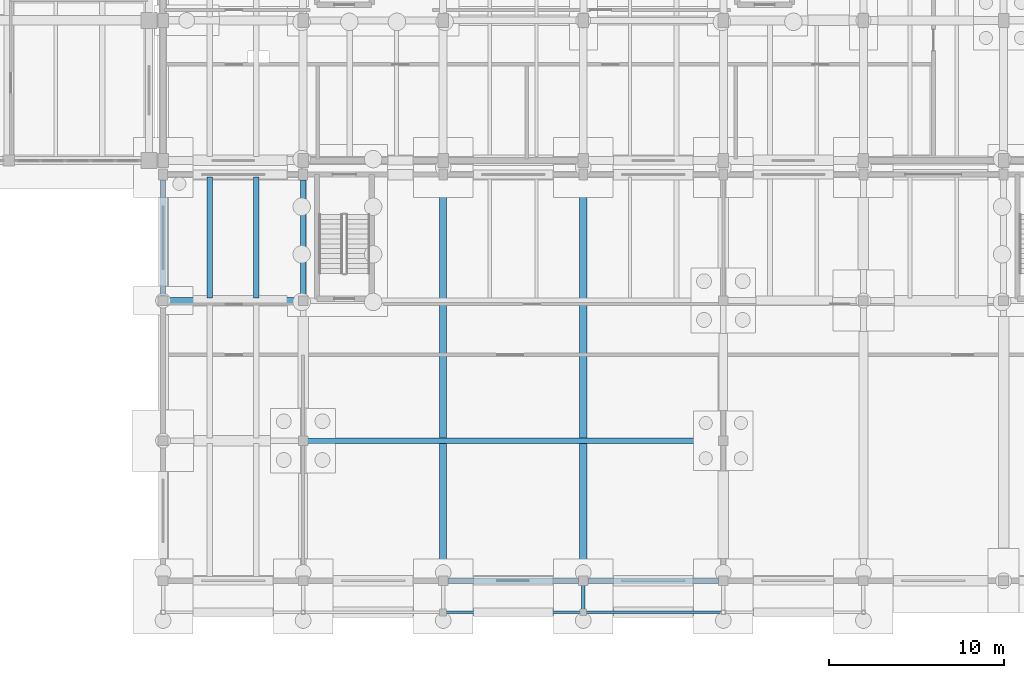
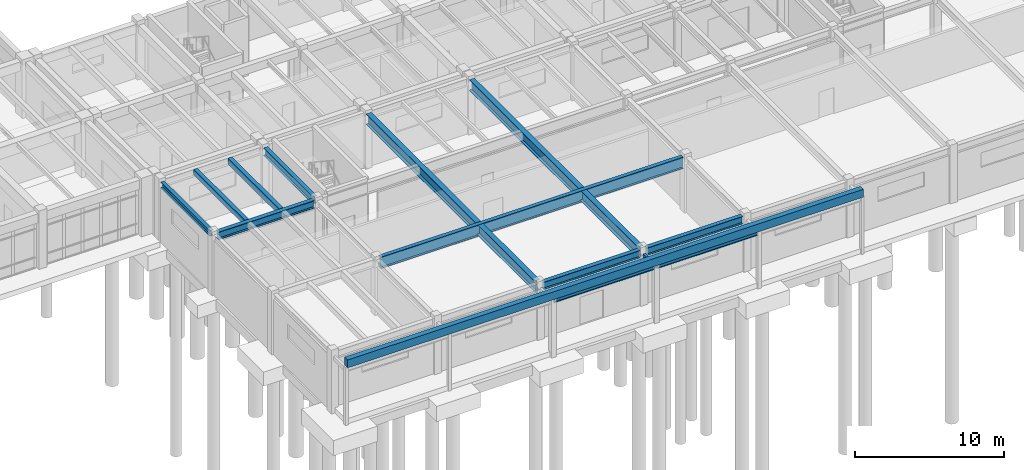
# One storey, part 21 of 64: 14 beams.
"""IFC4 building model written with IfcOpenShell, lengths in metres."""

from ifc_helpers import new_model, si_unit, direction, frame, origin, origin_2d, place, context, subcontext, project, spatial, rectangle, hollow_rectangle, i_section, extrude, material, material_profile, profile_set, type_object, element, save


model = new_model("IFC4")

# Units and contexts
model_context = context("Model", 3, precision=1e-05, world=origin(), true_north=direction((0.0, 1.0)))
body_context = subcontext(model_context, "Body", "Model", "MODEL_VIEW")
ifc_project = project(units=[si_unit("LENGTHUNIT", "METRE"), si_unit("AREAUNIT", "SQUARE_METRE"), si_unit("VOLUMEUNIT", "CUBIC_METRE"), si_unit("PLANEANGLEUNIT", "RADIAN"), si_unit("MASSUNIT", "GRAM", prefix="KILO")], contexts=[model_context])

# Site, building, storey
site_placement = place(None, origin())
site = spatial("IfcSite", under=ifc_project, at=site_placement, CompositionType="ELEMENT")
building_placement = place(site_placement, origin())
building = spatial("IfcBuilding", under=site, at=building_placement, Name="Tlaxcora Railside Police Headquarters", CompositionType="ELEMENT")
storey_placement = place(building_placement, origin())
storey = spatial("IfcBuildingStorey", under=building, at=storey_placement, Name="L00", CompositionType="ELEMENT", Elevation=0.0)

# Beams
ifc_material_1 = material(Name="Steel ASTM A992 Grade 50", Category="steel")
ifc_material_profile_1 = material_profile(ifc_material_1, hollow_rectangle(XDim=0.199951171875, YDim=0.300048828125, WallThickness=0.010009765625, at=origin_2d()), Name="HSS300X200X10")
ifc_profile_set_1 = profile_set([ifc_material_profile_1], Name="Steel ASTM A992 Grade 50")
beam_type_1 = type_object("IfcBeamType", Name="Opening Lintel Beam BM-74", PredefinedType="LINTEL", material=ifc_profile_set_1)
beam_1_placement = place(storey_placement, frame((126.800048828125, 10.199951171875, 4.10009765625), z_axis=(0.0, 1.0, 0.0), x_axis=(-1.0, 0.0, 0.0)))
element("IfcBeam", 1, at=beam_1_placement, inside=storey, type_object=beam_type_1, Name="Forecourt loggia tie beam X=126.8", PredefinedType="LINTEL", context=body_context, shape_type="SweptSolid", body=[
    extrude(hollow_rectangle(XDim=0.199951171875, YDim=0.300048828125, WallThickness=0.010009765625, at=origin_2d()), origin(), (0.0, 0.0, 1.0), 1.550048828125),
])
ifc_material_profile_2 = material_profile(ifc_material_1, i_section(OverallWidth=0.1650390625, OverallDepth=0.31005859375, WebThickness=0.005859375, FlangeThickness=0.009765625, at=origin_2d()), Name="W12X26")
ifc_profile_set_2 = profile_set([ifc_material_profile_2], Name="Steel ASTM A992 Grade 50")
beam_type_2 = type_object("IfcBeamType", Name="Opening Lintel Beam BM-87", PredefinedType="LINTEL", material=ifc_profile_set_2)
for number, where, z_axis, x_axis, name in (
    (2, (118.89990234375, 10.199951171875, 4.10009765625), (1.0, 0.0, 0.0), (0.0, 1.0, 0.0), "Forecourt loggia lintel X=118.8..126.8"),
    (3, (126.89990234375, 10.199951171875, 4.10009765625), (1.0, 0.0, 0.0), (0.0, 1.0, 0.0), "Forecourt loggia lintel X=126.8..134.8"),
):
    element("IfcBeam", number, at=place(storey_placement, frame(where, z_axis=z_axis, x_axis=x_axis)), inside=storey, type_object=beam_type_2, Name=name, PredefinedType="LINTEL", context=body_context, shape_type="SweptSolid", body=[
        extrude(i_section(OverallWidth=0.1650390625, OverallDepth=0.31005859375, WebThickness=0.005859375, FlangeThickness=0.009765625, at=origin_2d()), origin(), (0.0, 0.0, 1.0), 7.800048828125),
    ])
ifc_material_profile_3 = material_profile(ifc_material_1, i_section(OverallWidth=0.280029296875, OverallDepth=0.4619140625, WebThickness=0.0107421875, FlangeThickness=0.017333984375, at=origin_2d()), Name="W18X76")
ifc_profile_set_3 = profile_set([ifc_material_profile_3], Name="Steel ASTM A992 Grade 50")
beam_type_3 = type_object("IfcBeamType", Name="Perimeter Spandrel Beam BM-33", PredefinedType="SPANDREL", material=ifc_profile_set_3)
beam_2_placement = place(storey_placement, frame((102.800048828125, 28.264892578125, 4.299072265625), z_axis=(0.0, 1.0, 0.0), x_axis=(-1.0, 0.0, 0.0)))
element("IfcBeam", 4, at=beam_2_placement, inside=storey, type_object=beam_type_3, Name="V3 L00 Y-girder X=102.8", PredefinedType="SPANDREL", context=body_context, shape_type="SweptSolid", body=[
    extrude(i_section(OverallWidth=0.280029296875, OverallDepth=0.4619140625, WebThickness=0.0107421875, FlangeThickness=0.017333984375, at=origin_2d()), origin(), (0.0, 0.0, 1.0), 6.6201171875),
])
ifc_material_2 = material(Name="Concrete C40/50", Category="concrete")
ifc_material_profile_4 = material_profile(ifc_material_2, rectangle(XDim=0.39990234375, YDim=0.64990234375, at=origin_2d()), Name="RC400X650")
ifc_profile_set_4 = profile_set([ifc_material_profile_4], Name="Concrete C40/50")
beam_type_4 = type_object("IfcBeamType", Name="Perimeter Spandrel Beam BM-46", PredefinedType="SPANDREL", material=ifc_profile_set_4)
beam_3_placement = place(storey_placement, frame((102.800048828125, 10.199951171875, 4.64501953125), z_axis=(1.0, 0.0, 0.0), x_axis=(0.0, 1.0, 0.0)))
element("IfcBeam", 5, at=beam_3_placement, inside=storey, type_object=beam_type_4, Name="Forecourt colonnade brow beam 2", PredefinedType="SPANDREL", context=body_context, shape_type="SweptSolid", body=[
    extrude(rectangle(XDim=0.39990234375, YDim=0.64990234375, at=origin_2d()), origin(), (0.0, 0.0, 1.0), 40.0),
])
ifc_material_profile_5 = material_profile(ifc_material_1, i_section(OverallWidth=0.324951171875, OverallDepth=0.616943359375, WebThickness=0.013916015625, FlangeThickness=0.021484375, at=origin_2d()), Name="W24X117")
ifc_profile_set_5 = profile_set([ifc_material_profile_5], Name="Steel ASTM A992 Grade 50")
beam_type_5 = type_object("IfcBeamType", Name="Perimeter Spandrel Beam BM-60", PredefinedType="SPANDREL", material=ifc_profile_set_5)
for number, where, z_axis, x_axis, name in (
    (6, (119.06494140625, 12.0, 4.221435546875), (1.0, 0.0, 0.0), (0.0, 1.0, 0.0), "V3 L00 X-girder Y=12.0"),
    (7, (127.06494140625, 12.0, 4.221435546875), (1.0, 0.0, 0.0), (0.0, 1.0, 0.0), "V3 L00 X-girder Y=12.0"),
):
    element("IfcBeam", number, at=place(storey_placement, frame(where, z_axis=z_axis, x_axis=x_axis)), inside=storey, type_object=beam_type_5, Name=name, PredefinedType="SPANDREL", context=body_context, shape_type="SweptSolid", body=[
        extrude(i_section(OverallWidth=0.324951171875, OverallDepth=0.616943359375, WebThickness=0.013916015625, FlangeThickness=0.021484375, at=origin_2d()), origin(), (0.0, 0.0, 1.0), 7.469970703125),
    ])
ifc_material_profile_6 = material_profile(ifc_material_1, i_section(OverallWidth=0.403076171875, OverallDepth=0.868896484375, WebThickness=0.02099609375, FlangeThickness=0.03564453125, at=origin_2d()), Name="W33X241")
ifc_profile_set_6 = profile_set([ifc_material_profile_6], Name="Steel ASTM A992 Grade 50")
beam_type_6 = type_object("IfcBeamType", Name="Primary Frame Girder BM-45", PredefinedType="BEAM", material=ifc_profile_set_6)
for number, where, z_axis, x_axis, name in (
    (8, (118.800048828125, 12.264892578125, 4.095458984375), (0.0, 1.0, 0.0), (-1.0, 0.0, 0.0), "V3 L00 Y-girder X=118.8"),
    (9, (126.800048828125, 12.264892578125, 4.095458984375), (0.0, 1.0, 0.0), (-1.0, 0.0, 0.0), "V3 L00 Y-girder X=126.8"),
):
    element("IfcBeam", number, at=place(storey_placement, frame(where, z_axis=z_axis, x_axis=x_axis)), inside=storey, type_object=beam_type_6, Name=name, PredefinedType="BEAM", context=body_context, shape_type="SweptSolid", body=[
        extrude(i_section(OverallWidth=0.403076171875, OverallDepth=0.868896484375, WebThickness=0.02099609375, FlangeThickness=0.03564453125, at=origin_2d()), origin(), (0.0, 0.0, 1.0), 22.6201171875),
    ])
ifc_material_profile_7 = material_profile(ifc_material_1, i_section(OverallWidth=0.31005859375, OverallDepth=0.949951171875, WebThickness=0.0244140625, FlangeThickness=0.0439453125, at=origin_2d()), Name="W36X256")
ifc_profile_set_7 = profile_set([ifc_material_profile_7], Name="Steel ASTM A992 Grade 50")
beam_type_7 = type_object("IfcBeamType", Name="Primary Frame Girder BM-48", PredefinedType="BEAM", material=ifc_profile_set_7)
beam_4_placement = place(storey_placement, frame((111.06494140625, 20.0, 4.054931640625), z_axis=(1.0, 0.0, 0.0), x_axis=(0.0, 1.0, 0.0)))
element("IfcBeam", 10, at=beam_4_placement, inside=storey, type_object=beam_type_7, Name="V3 L00 X-girder Y=20.0", PredefinedType="BEAM", context=body_context, shape_type="SweptSolid", body=[
    extrude(i_section(OverallWidth=0.31005859375, OverallDepth=0.949951171875, WebThickness=0.0244140625, FlangeThickness=0.0439453125, at=origin_2d()), origin(), (0.0, 0.0, 1.0), 23.469970703125),
])
ifc_material_profile_8 = material_profile(ifc_material_1, i_section(OverallWidth=0.324951171875, OverallDepth=0.616943359375, WebThickness=0.013916015625, FlangeThickness=0.021484375, at=origin_2d()), Name="W24X117")
ifc_profile_set_8 = profile_set([ifc_material_profile_8], Name="Steel ASTM A992 Grade 50")
beam_type_8 = type_object("IfcBeamType", Name="Primary Frame Girder BM-72", PredefinedType="BEAM", material=ifc_profile_set_8)
beam_5_placement = place(storey_placement, frame((110.800048828125, 28.264892578125, 4.221435546875), z_axis=(0.0, 1.0, 0.0), x_axis=(-1.0, 0.0, 0.0)))
element("IfcBeam", 11, at=beam_5_placement, inside=storey, type_object=beam_type_8, Name="V3 L00 Y-girder X=110.8", PredefinedType="BEAM", context=body_context, shape_type="SweptSolid", body=[
    extrude(i_section(OverallWidth=0.324951171875, OverallDepth=0.616943359375, WebThickness=0.013916015625, FlangeThickness=0.021484375, at=origin_2d()), origin(), (0.0, 0.0, 1.0), 6.6201171875),
])
ifc_material_profile_9 = material_profile(ifc_material_1, i_section(OverallWidth=0.3291015625, OverallDepth=0.635009765625, WebThickness=0.017822265625, FlangeThickness=0.031005859375, at=origin_2d()), Name="W24X162")
ifc_profile_set_9 = profile_set([ifc_material_profile_9], Name="Steel ASTM A992 Grade 50")
beam_type_9 = type_object("IfcBeamType", Name="Primary Frame Girder BM-77", PredefinedType="BEAM", material=ifc_profile_set_9)
beam_6_placement = place(storey_placement, frame((103.06494140625, 28.0, 4.21240234375), z_axis=(1.0, 0.0, 0.0), x_axis=(0.0, 1.0, 0.0)))
element("IfcBeam", 12, at=beam_6_placement, inside=storey, type_object=beam_type_9, Name="V3 L00 X-girder Y=28.0", PredefinedType="BEAM", context=body_context, shape_type="SweptSolid", body=[
    extrude(i_section(OverallWidth=0.3291015625, OverallDepth=0.635009765625, WebThickness=0.017822265625, FlangeThickness=0.031005859375, at=origin_2d()), origin(), (0.0, 0.0, 1.0), 7.469970703125),
])
ifc_material_3 = material(Name="Concrete C35/45", Category="concrete")
ifc_material_profile_10 = material_profile(ifc_material_3, rectangle(XDim=0.300048828125, YDim=0.449951171875, at=origin_2d()), Name="RC300X450")
ifc_profile_set_10 = profile_set([ifc_material_profile_10], Name="Concrete C35/45")
beam_type_10 = type_object("IfcBeamType", Name="Secondary Floor Joist BM-27", PredefinedType="JOIST", material=ifc_profile_set_10)
beam_7_placement = place(storey_placement, frame((105.466796875, 28.156494140625, 4.304931640625), z_axis=(0.0, 1.0, 0.0), x_axis=(-1.0, 0.0, 0.0)))
element("IfcBeam", 13, at=beam_7_placement, inside=storey, type_object=beam_type_10, Name="V3 L00 floor joist X=105.47", PredefinedType="JOIST", context=body_context, shape_type="SweptSolid", body=[
    extrude(rectangle(XDim=0.300048828125, YDim=0.449951171875, at=origin_2d()), origin(), (0.0, 0.0, 1.0), 6.888916015625),
])
ifc_material_profile_11 = material_profile(ifc_material_3, rectangle(XDim=0.320068359375, YDim=0.5, at=origin_2d()), Name="RC320X500")
ifc_profile_set_11 = profile_set([ifc_material_profile_11], Name="Concrete C35/45")
beam_type_11 = type_object("IfcBeamType", Name="Secondary Floor Joist BM-88", PredefinedType="JOIST", material=ifc_profile_set_11)
beam_8_placement = place(storey_placement, frame((108.13330078125, 28.156494140625, 4.280029296875), z_axis=(0.0, 1.0, 0.0), x_axis=(-1.0, 0.0, 0.0)))
element("IfcBeam", 14, at=beam_8_placement, inside=storey, type_object=beam_type_11, Name="V3 L00 floor joist X=108.13", PredefinedType="JOIST", context=body_context, shape_type="SweptSolid", body=[
    extrude(rectangle(XDim=0.320068359375, YDim=0.5, at=origin_2d()), origin(), (0.0, 0.0, 1.0), 6.888916015625),
])

save(model, "model.ifc")
